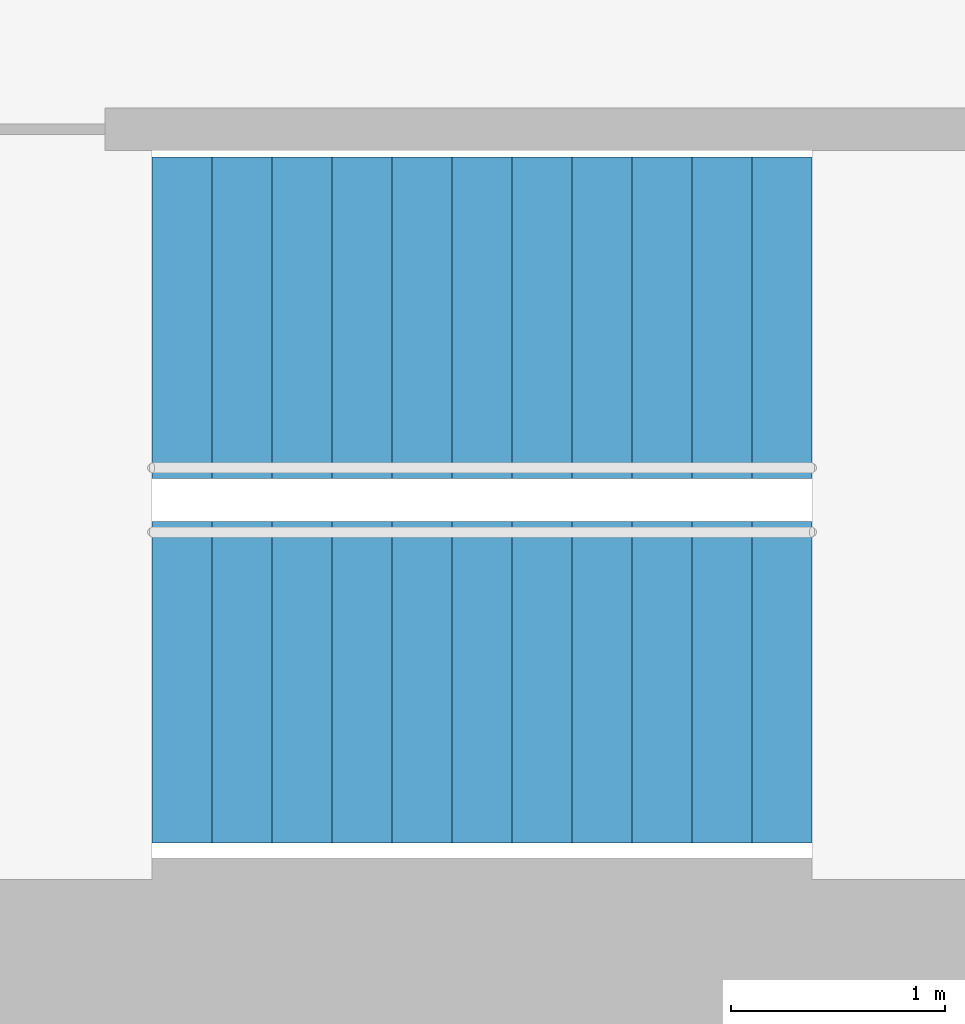
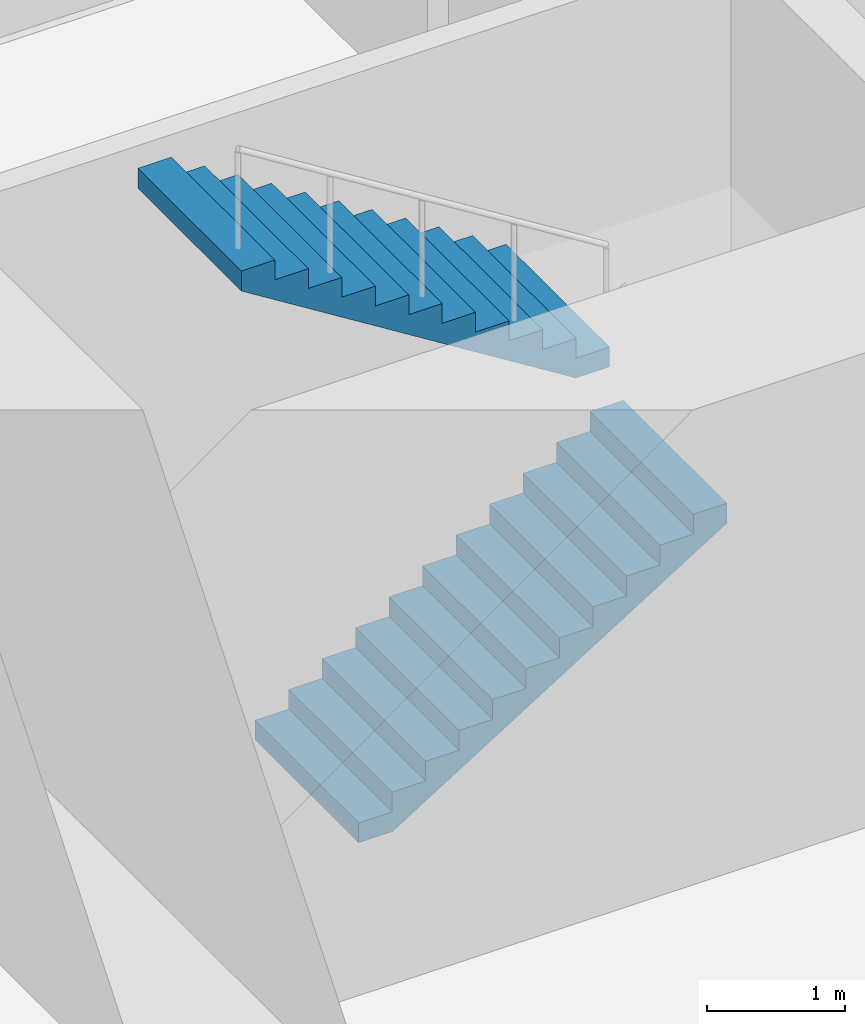
# One storey, part 15 of 17: 2 stair flights, 1 element without a shape of its own.
"""IFC4 building model written with IfcOpenShell, lengths in metres."""

from ifc_helpers import new_model, si_unit, direction, frame, origin, place, context, subcontext, project, spatial, triangles, material, type_object, element, aggregate, save


model = new_model("IFC4")

# Units and contexts
model_context = context("Model", 3, precision=1e-05, world=origin(), true_north=direction((0.0, 1.0)))
body_context = subcontext(model_context, "Body", "Model", "MODEL_VIEW")
ifc_project = project(units=[si_unit("LENGTHUNIT", "METRE"), si_unit("AREAUNIT", "SQUARE_METRE"), si_unit("VOLUMEUNIT", "CUBIC_METRE"), si_unit("PLANEANGLEUNIT", "RADIAN"), si_unit("MASSUNIT", "GRAM", prefix="KILO")], contexts=[model_context])

# Site, building, storey
site_placement = place(None, origin())
site = spatial("IfcSite", under=ifc_project, at=site_placement, CompositionType="ELEMENT")
building_placement = place(site_placement, origin())
building = spatial("IfcBuilding", under=site, at=building_placement, Name="Lantaw Convention Tower", CompositionType="ELEMENT")
storey_placement = place(building_placement, frame((0.0, 0.0, 163.60009765625)))
storey = spatial("IfcBuildingStorey", under=building, at=storey_placement, Name="L38", CompositionType="ELEMENT", Elevation=163.60009765625)

# Stair, stair flights
ifc_material = material(Name="Concrete C35/45", Category="concrete")
stair_type = type_object("IfcStairType", Name="Exit stair 1500 riser 175 in 2 flights", PredefinedType="HALF_TURN_STAIR", material=ifc_material)
stair_placement = place(storey_placement, origin())
stair = element("IfcStair", 1, at=stair_placement, inside=storey, type_object=stair_type, Name="Exit stair S1 L38", PredefinedType="HALF_TURN_STAIR")
stair_flight_type = type_object("IfcStairFlightType", Name="Stair flight 1500 riser 175", PredefinedType="STRAIGHT", material=ifc_material)
stair_flight_1_placement = place(storey_placement, frame((-10.580078125, -5.97998046875, 0.0), z_axis=(0.0, 0.0, 1.0), x_axis=(1.0, 0.0, 0.0)))
stair_flight_1 = element("IfcStairFlight", 2, at=stair_flight_1_placement, type_object=stair_flight_type, Name="S1 flight 1", NumberOfRisers=12, NumberOfTreads=11, PredefinedType="STRAIGHT", RiserHeight=0.175, TreadLength=0.28, context=body_context, shape_type="Tessellation", body=[
    triangles([(0.0, 0.75, 0.0), (0.0, 0.75, 0.175), (0.28, 0.75, 0.0), (0.28, 0.75, 0.175), (0.28, 0.75, 0.35), (0.28283517651771284, 0.75, 0.0), (0.28283517651771284, 0.75, 0.35), (0.56, 0.75, 0.17322801467642948), (0.56, 0.75, 0.35), (0.56, 0.75, 0.5249999999999999), (0.8400000000000001, 0.75, 0.34822801467642944), (0.8400000000000001, 0.75, 0.5249999999999999), (0.8400000000000001, 0.75, 0.7), (1.12, 0.75, 0.5232280146764294), (1.12, 0.75, 0.7), (1.12, 0.75, 0.875), (1.4000000000000001, 0.75, 0.6982280146764295), (1.4000000000000001, 0.75, 0.875), (1.4000000000000001, 0.75, 1.0499999999999998), (1.6800000000000002, 0.75, 0.8732280146764294), (1.6800000000000002, 0.75, 1.0499999999999998), (1.6800000000000002, 0.75, 1.2249999999999999), (1.9600000000000002, 0.75, 1.0482280146764293), (1.9600000000000002, 0.75, 1.2249999999999999), (1.9600000000000002, 0.75, 1.4), (2.24, 0.75, 1.2232280146764294), (2.24, 0.75, 1.4), (2.24, 0.75, 1.575), (2.5200000000000005, 0.75, 1.3982280146764294), (2.5200000000000005, 0.75, 1.575), (2.5200000000000005, 0.75, 1.75), (2.8000000000000003, 0.75, 1.5732280146764293), (2.8000000000000003, 0.75, 1.75), (2.8000000000000003, 0.75, 1.9249999999999998), (3.08, 0.75, 1.7482280146764293), (3.08, 0.75, 1.9249999999999998), (0.0, -0.75, 0.0), (0.0, -0.75, 0.175), (0.28, -0.75, 0.0), (0.28, -0.75, 0.175), (0.28, -0.75, 0.35), (0.28283517651771284, -0.75, 0.0), (0.28283517651771284, -0.75, 0.35), (0.56, -0.75, 0.17322801467642948), (0.56, -0.75, 0.35), (0.56, -0.75, 0.5249999999999999), (0.8400000000000001, -0.75, 0.34822801467642944), (0.8400000000000001, -0.75, 0.5249999999999999), (0.8400000000000001, -0.75, 0.7), (1.12, -0.75, 0.5232280146764294), (1.12, -0.75, 0.7), (1.12, -0.75, 0.875), (1.4000000000000001, -0.75, 0.6982280146764295), (1.4000000000000001, -0.75, 0.875), (1.4000000000000001, -0.75, 1.0499999999999998), (1.6800000000000002, -0.75, 0.8732280146764294), (1.6800000000000002, -0.75, 1.0499999999999998), (1.6800000000000002, -0.75, 1.2249999999999999), (1.9600000000000002, -0.75, 1.0482280146764293), (1.9600000000000002, -0.75, 1.2249999999999999), (1.9600000000000002, -0.75, 1.4), (2.24, -0.75, 1.2232280146764294), (2.24, -0.75, 1.4), (2.24, -0.75, 1.575), (2.5200000000000005, -0.75, 1.3982280146764294), (2.5200000000000005, -0.75, 1.575), (2.5200000000000005, -0.75, 1.75), (2.8000000000000003, -0.75, 1.5732280146764293), (2.8000000000000003, -0.75, 1.75), (2.8000000000000003, -0.75, 1.9249999999999998), (3.08, -0.75, 1.7482280146764293), (3.08, -0.75, 1.9249999999999998), (0.0, 0.15000000000000002, 0.175), (0.0, 0.15000000000000002, 0.0), (0.0, 0.0, 0.175), (0.0, 0.0, 0.0), (0.0, -0.15000000000000002, 0.175), (0.0, -0.15000000000000002, 0.0), (0.28, 0.15000000000000002, 0.35), (0.28, 0.15000000000000002, 0.175), (0.28, 0.0, 0.35), (0.28, 0.0, 0.175), (0.28, -0.15000000000000002, 0.35), (0.28, -0.15000000000000002, 0.175), (0.56, 0.15000000000000002, 0.5249999999999999), (0.56, 0.15000000000000002, 0.35), (0.56, 0.0, 0.5249999999999999), (0.56, 0.0, 0.35), (0.56, -0.15000000000000002, 0.5249999999999999), (0.56, -0.15000000000000002, 0.35), (0.8400000000000001, 0.15000000000000002, 0.7), (0.8400000000000001, 0.15000000000000002, 0.5249999999999999), (0.8400000000000001, 0.0, 0.7), (0.8400000000000001, 0.0, 0.5249999999999999), (0.8400000000000001, -0.15000000000000002, 0.7), (0.8400000000000001, -0.15000000000000002, 0.5249999999999999), (1.12, 0.15000000000000002, 0.875), (1.12, 0.15000000000000002, 0.7), (1.12, 0.0, 0.875), (1.12, 0.0, 0.7), (1.12, -0.15000000000000002, 0.875), (1.12, -0.15000000000000002, 0.7), (1.4000000000000001, 0.15000000000000002, 1.0499999999999998), (1.4000000000000001, 0.15000000000000002, 0.875), (1.4000000000000001, 0.0, 1.0499999999999998), (1.4000000000000001, 0.0, 0.875), (1.4000000000000001, -0.15000000000000002, 1.0499999999999998), (1.4000000000000001, -0.15000000000000002, 0.875), (1.6800000000000002, 0.15000000000000002, 1.2249999999999999), (1.6800000000000002, 0.15000000000000002, 1.0499999999999998), (1.6800000000000002, 0.0, 1.2249999999999999), (1.6800000000000002, 0.0, 1.0499999999999998), (1.6800000000000002, -0.15000000000000002, 1.2249999999999999), (1.6800000000000002, -0.15000000000000002, 1.0499999999999998), (1.9600000000000002, 0.15000000000000002, 1.4), (1.9600000000000002, 0.15000000000000002, 1.2249999999999999), (1.9600000000000002, 0.0, 1.4), (1.9600000000000002, 0.0, 1.2249999999999999), (1.9600000000000002, -0.15000000000000002, 1.4), (1.9600000000000002, -0.15000000000000002, 1.2249999999999999), (2.24, 0.15000000000000002, 1.575), (2.24, 0.15000000000000002, 1.4), (2.24, 0.0, 1.575), (2.24, 0.0, 1.4), (2.24, -0.15000000000000002, 1.575), (2.24, -0.15000000000000002, 1.4), (2.5200000000000005, 0.15000000000000002, 1.75), (2.5200000000000005, 0.15000000000000002, 1.575), (2.5200000000000005, 0.0, 1.75), (2.5200000000000005, 0.0, 1.575), (2.5200000000000005, -0.15000000000000002, 1.75), (2.5200000000000005, -0.15000000000000002, 1.575), (2.8000000000000003, 0.15000000000000002, 1.9249999999999998), (2.8000000000000003, 0.15000000000000002, 1.75), (2.8000000000000003, 0.0, 1.9249999999999998), (2.8000000000000003, 0.0, 1.75), (2.8000000000000003, -0.15000000000000002, 1.9249999999999998), (2.8000000000000003, -0.15000000000000002, 1.75), (0.28283517651771284, 0.15000000000000002, 0.35), (0.28283517651771284, 0.0, 0.35), (0.28283517651771284, -0.15000000000000002, 0.35), (3.08, 0.15000000000000002, 1.9249999999999998), (3.08, 0.0, 1.9249999999999998), (3.08, -0.15000000000000002, 1.9249999999999998), (3.08, 0.15000000000000002, 1.7482280146764293), (3.08, 0.0, 1.7482280146764293), (3.08, -0.15000000000000002, 1.7482280146764293), (2.8000000000000003, 0.15000000000000002, 1.5732280146764293), (2.8000000000000003, 0.0, 1.5732280146764293), (2.8000000000000003, -0.15000000000000002, 1.5732280146764293), (2.5200000000000005, 0.15000000000000002, 1.3982280146764294), (2.5200000000000005, 0.0, 1.3982280146764294), (2.5200000000000005, -0.15000000000000002, 1.3982280146764294), (2.24, 0.15000000000000002, 1.2232280146764294), (2.24, 0.0, 1.2232280146764294), (2.24, -0.15000000000000002, 1.2232280146764294), (1.9600000000000002, 0.15000000000000002, 1.0482280146764293), (1.9600000000000002, 0.0, 1.0482280146764293), (1.9600000000000002, -0.15000000000000002, 1.0482280146764293), (1.6800000000000002, 0.15000000000000002, 0.8732280146764294), (1.6800000000000002, 0.0, 0.8732280146764294), (1.6800000000000002, -0.15000000000000002, 0.8732280146764294), (1.4000000000000001, 0.15000000000000002, 0.6982280146764295), (1.4000000000000001, 0.0, 0.6982280146764295), (1.4000000000000001, -0.15000000000000002, 0.6982280146764295), (1.12, 0.15000000000000002, 0.5232280146764294), (1.12, 0.0, 0.5232280146764294), (1.12, -0.15000000000000002, 0.5232280146764294), (0.8400000000000001, 0.15000000000000002, 0.34822801467642944), (0.8400000000000001, 0.0, 0.34822801467642944), (0.8400000000000001, -0.15000000000000002, 0.34822801467642944), (0.56, 0.15000000000000002, 0.17322801467642948), (0.56, 0.0, 0.17322801467642948), (0.56, -0.15000000000000002, 0.17322801467642948), (0.28283517651771284, 0.15000000000000002, 0.0), (0.28283517651771284, 0.0, 0.0), (0.28283517651771284, -0.15000000000000002, 0.0), (0.28, 0.15000000000000002, 0.0), (0.28, 0.0, 0.0), (0.28, -0.15000000000000002, 0.0)], [[1, 4, 3], [1, 2, 4], [3, 4, 6], [4, 7, 6], [4, 5, 7], [6, 9, 8], [6, 7, 9], [8, 9, 11], [9, 12, 11], [9, 10, 12], [11, 12, 14], [12, 15, 14], [12, 13, 15], [14, 15, 17], [15, 18, 17], [15, 16, 18], [17, 18, 20], [18, 21, 20], [18, 19, 21], [20, 21, 23], [21, 24, 23], [21, 22, 24], [23, 24, 26], [24, 27, 26], [24, 25, 27], [26, 27, 29], [27, 30, 29], [27, 28, 30], [29, 30, 32], [30, 33, 32], [30, 31, 33], [32, 33, 35], [33, 36, 35], [33, 34, 36], [37, 39, 40], [37, 40, 38], [39, 42, 40], [40, 42, 43], [40, 43, 41], [42, 44, 45], [42, 45, 43], [44, 47, 45], [45, 47, 48], [45, 48, 46], [47, 50, 48], [48, 50, 51], [48, 51, 49], [50, 53, 51], [51, 53, 54], [51, 54, 52], [53, 56, 54], [54, 56, 57], [54, 57, 55], [56, 59, 57], [57, 59, 60], [57, 60, 58], [59, 62, 60], [60, 62, 63], [60, 63, 61], [62, 65, 63], [63, 65, 66], [63, 66, 64], [65, 68, 66], [66, 68, 69], [66, 69, 67], [68, 71, 69], [69, 71, 72], [69, 72, 70], [1, 73, 2], [1, 74, 73], [74, 75, 73], [74, 76, 75], [76, 77, 75], [76, 78, 77], [78, 38, 77], [78, 37, 38], [4, 79, 5], [4, 80, 79], [80, 81, 79], [80, 82, 81], [82, 83, 81], [82, 84, 83], [84, 41, 83], [84, 40, 41], [9, 85, 10], [9, 86, 85], [86, 87, 85], [86, 88, 87], [88, 89, 87], [88, 90, 89], [90, 46, 89], [90, 45, 46], [12, 91, 13], [12, 92, 91], [92, 93, 91], [92, 94, 93], [94, 95, 93], [94, 96, 95], [96, 49, 95], [96, 48, 49], [15, 97, 16], [15, 98, 97], [98, 99, 97], [98, 100, 99], [100, 101, 99], [100, 102, 101], [102, 52, 101], [102, 51, 52], [18, 103, 19], [18, 104, 103], [104, 105, 103], [104, 106, 105], [106, 107, 105], [106, 108, 107], [108, 55, 107], [108, 54, 55], [21, 109, 22], [21, 110, 109], [110, 111, 109], [110, 112, 111], [112, 113, 111], [112, 114, 113], [114, 58, 113], [114, 57, 58], [24, 115, 25], [24, 116, 115], [116, 117, 115], [116, 118, 117], [118, 119, 117], [118, 120, 119], [120, 61, 119], [120, 60, 61], [27, 121, 28], [27, 122, 121], [122, 123, 121], [122, 124, 123], [124, 125, 123], [124, 126, 125], [126, 64, 125], [126, 63, 64], [30, 127, 31], [30, 128, 127], [128, 129, 127], [128, 130, 129], [130, 131, 129], [130, 132, 131], [132, 67, 131], [132, 66, 67], [33, 133, 34], [33, 134, 133], [134, 135, 133], [134, 136, 135], [136, 137, 135], [136, 138, 137], [138, 70, 137], [138, 69, 70], [2, 80, 4], [2, 73, 80], [73, 82, 80], [73, 75, 82], [75, 84, 82], [75, 77, 84], [77, 40, 84], [77, 38, 40], [5, 139, 7], [5, 79, 139], [79, 140, 139], [79, 81, 140], [81, 141, 140], [81, 83, 141], [83, 43, 141], [83, 41, 43], [7, 86, 9], [7, 139, 86], [139, 88, 86], [139, 140, 88], [140, 90, 88], [140, 141, 90], [141, 45, 90], [141, 43, 45], [10, 92, 12], [10, 85, 92], [85, 94, 92], [85, 87, 94], [87, 96, 94], [87, 89, 96], [89, 48, 96], [89, 46, 48], [13, 98, 15], [13, 91, 98], [91, 100, 98], [91, 93, 100], [93, 102, 100], [93, 95, 102], [95, 51, 102], [95, 49, 51], [16, 104, 18], [16, 97, 104], [97, 106, 104], [97, 99, 106], [99, 108, 106], [99, 101, 108], [101, 54, 108], [101, 52, 54], [19, 110, 21], [19, 103, 110], [103, 112, 110], [103, 105, 112], [105, 114, 112], [105, 107, 114], [107, 57, 114], [107, 55, 57], [22, 116, 24], [22, 109, 116], [109, 118, 116], [109, 111, 118], [111, 120, 118], [111, 113, 120], [113, 60, 120], [113, 58, 60], [25, 122, 27], [25, 115, 122], [115, 124, 122], [115, 117, 124], [117, 126, 124], [117, 119, 126], [119, 63, 126], [119, 61, 63], [28, 128, 30], [28, 121, 128], [121, 130, 128], [121, 123, 130], [123, 132, 130], [123, 125, 132], [125, 66, 132], [125, 64, 66], [31, 134, 33], [31, 127, 134], [127, 136, 134], [127, 129, 136], [129, 138, 136], [129, 131, 138], [131, 69, 138], [131, 67, 69], [34, 142, 36], [34, 133, 142], [133, 143, 142], [133, 135, 143], [135, 144, 143], [135, 137, 144], [137, 72, 144], [137, 70, 72], [36, 145, 35], [36, 142, 145], [142, 146, 145], [142, 143, 146], [143, 147, 146], [143, 144, 147], [144, 71, 147], [144, 72, 71], [35, 148, 32], [35, 145, 148], [145, 149, 148], [145, 146, 149], [146, 150, 149], [146, 147, 150], [147, 68, 150], [147, 71, 68], [32, 151, 29], [32, 148, 151], [148, 152, 151], [148, 149, 152], [149, 153, 152], [149, 150, 153], [150, 65, 153], [150, 68, 65], [29, 154, 26], [29, 151, 154], [151, 155, 154], [151, 152, 155], [152, 156, 155], [152, 153, 156], [153, 62, 156], [153, 65, 62], [26, 157, 23], [26, 154, 157], [154, 158, 157], [154, 155, 158], [155, 159, 158], [155, 156, 159], [156, 59, 159], [156, 62, 59], [23, 160, 20], [23, 157, 160], [157, 161, 160], [157, 158, 161], [158, 162, 161], [158, 159, 162], [159, 56, 162], [159, 59, 56], [20, 163, 17], [20, 160, 163], [160, 164, 163], [160, 161, 164], [161, 165, 164], [161, 162, 165], [162, 53, 165], [162, 56, 53], [17, 166, 14], [17, 163, 166], [163, 167, 166], [163, 164, 167], [164, 168, 167], [164, 165, 168], [165, 50, 168], [165, 53, 50], [14, 169, 11], [14, 166, 169], [166, 170, 169], [166, 167, 170], [167, 171, 170], [167, 168, 171], [168, 47, 171], [168, 50, 47], [11, 172, 8], [11, 169, 172], [169, 173, 172], [169, 170, 173], [170, 174, 173], [170, 171, 174], [171, 44, 174], [171, 47, 44], [8, 175, 6], [8, 172, 175], [172, 176, 175], [172, 173, 176], [173, 177, 176], [173, 174, 177], [174, 42, 177], [174, 44, 42], [6, 178, 3], [6, 175, 178], [175, 179, 178], [175, 176, 179], [176, 180, 179], [176, 177, 180], [177, 39, 180], [177, 42, 39], [3, 74, 1], [3, 178, 74], [178, 76, 74], [178, 179, 76], [179, 78, 76], [179, 180, 78], [180, 37, 78], [180, 39, 37]], closed=True),
])
stair_flight_2_placement = place(storey_placement, frame((-7.5, -4.280029296875, 2.099853515625), z_axis=(0.0, 0.0, 1.0), x_axis=(-1.0, 0.0, 0.0)))
stair_flight_2 = element("IfcStairFlight", 3, at=stair_flight_2_placement, type_object=stair_flight_type, Name="S1 flight 2", NumberOfRisers=12, NumberOfTreads=11, PredefinedType="STRAIGHT", RiserHeight=0.175, TreadLength=0.28, context=body_context, shape_type="Tessellation", body=[
    triangles([(0.0, 0.75, 0.0), (0.0, 0.75, 0.175), (0.28, 0.75, 0.0), (0.28, 0.75, 0.175), (0.28, 0.75, 0.35), (0.28283517651771284, 0.75, 0.0), (0.28283517651771284, 0.75, 0.35), (0.56, 0.75, 0.17322801467642948), (0.56, 0.75, 0.35), (0.56, 0.75, 0.5249999999999999), (0.8400000000000001, 0.75, 0.34822801467642944), (0.8400000000000001, 0.75, 0.5249999999999999), (0.8400000000000001, 0.75, 0.7), (1.12, 0.75, 0.5232280146764294), (1.12, 0.75, 0.7), (1.12, 0.75, 0.875), (1.4000000000000001, 0.75, 0.6982280146764295), (1.4000000000000001, 0.75, 0.875), (1.4000000000000001, 0.75, 1.0499999999999998), (1.6800000000000002, 0.75, 0.8732280146764294), (1.6800000000000002, 0.75, 1.0499999999999998), (1.6800000000000002, 0.75, 1.2249999999999999), (1.9600000000000002, 0.75, 1.0482280146764293), (1.9600000000000002, 0.75, 1.2249999999999999), (1.9600000000000002, 0.75, 1.4), (2.24, 0.75, 1.2232280146764294), (2.24, 0.75, 1.4), (2.24, 0.75, 1.575), (2.5200000000000005, 0.75, 1.3982280146764294), (2.5200000000000005, 0.75, 1.575), (2.5200000000000005, 0.75, 1.75), (2.8000000000000003, 0.75, 1.5732280146764293), (2.8000000000000003, 0.75, 1.75), (2.8000000000000003, 0.75, 1.9249999999999998), (3.08, 0.75, 1.7482280146764293), (3.08, 0.75, 1.9249999999999998), (0.0, -0.75, 0.0), (0.0, -0.75, 0.175), (0.28, -0.75, 0.0), (0.28, -0.75, 0.175), (0.28, -0.75, 0.35), (0.28283517651771284, -0.75, 0.0), (0.28283517651771284, -0.75, 0.35), (0.56, -0.75, 0.17322801467642948), (0.56, -0.75, 0.35), (0.56, -0.75, 0.5249999999999999), (0.8400000000000001, -0.75, 0.34822801467642944), (0.8400000000000001, -0.75, 0.5249999999999999), (0.8400000000000001, -0.75, 0.7), (1.12, -0.75, 0.5232280146764294), (1.12, -0.75, 0.7), (1.12, -0.75, 0.875), (1.4000000000000001, -0.75, 0.6982280146764295), (1.4000000000000001, -0.75, 0.875), (1.4000000000000001, -0.75, 1.0499999999999998), (1.6800000000000002, -0.75, 0.8732280146764294), (1.6800000000000002, -0.75, 1.0499999999999998), (1.6800000000000002, -0.75, 1.2249999999999999), (1.9600000000000002, -0.75, 1.0482280146764293), (1.9600000000000002, -0.75, 1.2249999999999999), (1.9600000000000002, -0.75, 1.4), (2.24, -0.75, 1.2232280146764294), (2.24, -0.75, 1.4), (2.24, -0.75, 1.575), (2.5200000000000005, -0.75, 1.3982280146764294), (2.5200000000000005, -0.75, 1.575), (2.5200000000000005, -0.75, 1.75), (2.8000000000000003, -0.75, 1.5732280146764293), (2.8000000000000003, -0.75, 1.75), (2.8000000000000003, -0.75, 1.9249999999999998), (3.08, -0.75, 1.7482280146764293), (3.08, -0.75, 1.9249999999999998), (0.0, 0.15000000000000002, 0.175), (0.0, 0.15000000000000002, 0.0), (0.0, 0.0, 0.175), (0.0, 0.0, 0.0), (0.0, -0.15000000000000002, 0.175), (0.0, -0.15000000000000002, 0.0), (0.28, 0.15000000000000002, 0.35), (0.28, 0.15000000000000002, 0.175), (0.28, 0.0, 0.35), (0.28, 0.0, 0.175), (0.28, -0.15000000000000002, 0.35), (0.28, -0.15000000000000002, 0.175), (0.56, 0.15000000000000002, 0.5249999999999999), (0.56, 0.15000000000000002, 0.35), (0.56, 0.0, 0.5249999999999999), (0.56, 0.0, 0.35), (0.56, -0.15000000000000002, 0.5249999999999999), (0.56, -0.15000000000000002, 0.35), (0.8400000000000001, 0.15000000000000002, 0.7), (0.8400000000000001, 0.15000000000000002, 0.5249999999999999), (0.8400000000000001, 0.0, 0.7), (0.8400000000000001, 0.0, 0.5249999999999999), (0.8400000000000001, -0.15000000000000002, 0.7), (0.8400000000000001, -0.15000000000000002, 0.5249999999999999), (1.12, 0.15000000000000002, 0.875), (1.12, 0.15000000000000002, 0.7), (1.12, 0.0, 0.875), (1.12, 0.0, 0.7), (1.12, -0.15000000000000002, 0.875), (1.12, -0.15000000000000002, 0.7), (1.4000000000000001, 0.15000000000000002, 1.0499999999999998), (1.4000000000000001, 0.15000000000000002, 0.875), (1.4000000000000001, 0.0, 1.0499999999999998), (1.4000000000000001, 0.0, 0.875), (1.4000000000000001, -0.15000000000000002, 1.0499999999999998), (1.4000000000000001, -0.15000000000000002, 0.875), (1.6800000000000002, 0.15000000000000002, 1.2249999999999999), (1.6800000000000002, 0.15000000000000002, 1.0499999999999998), (1.6800000000000002, 0.0, 1.2249999999999999), (1.6800000000000002, 0.0, 1.0499999999999998), (1.6800000000000002, -0.15000000000000002, 1.2249999999999999), (1.6800000000000002, -0.15000000000000002, 1.0499999999999998), (1.9600000000000002, 0.15000000000000002, 1.4), (1.9600000000000002, 0.15000000000000002, 1.2249999999999999), (1.9600000000000002, 0.0, 1.4), (1.9600000000000002, 0.0, 1.2249999999999999), (1.9600000000000002, -0.15000000000000002, 1.4), (1.9600000000000002, -0.15000000000000002, 1.2249999999999999), (2.24, 0.15000000000000002, 1.575), (2.24, 0.15000000000000002, 1.4), (2.24, 0.0, 1.575), (2.24, 0.0, 1.4), (2.24, -0.15000000000000002, 1.575), (2.24, -0.15000000000000002, 1.4), (2.5200000000000005, 0.15000000000000002, 1.75), (2.5200000000000005, 0.15000000000000002, 1.575), (2.5200000000000005, 0.0, 1.75), (2.5200000000000005, 0.0, 1.575), (2.5200000000000005, -0.15000000000000002, 1.75), (2.5200000000000005, -0.15000000000000002, 1.575), (2.8000000000000003, 0.15000000000000002, 1.9249999999999998), (2.8000000000000003, 0.15000000000000002, 1.75), (2.8000000000000003, 0.0, 1.9249999999999998), (2.8000000000000003, 0.0, 1.75), (2.8000000000000003, -0.15000000000000002, 1.9249999999999998), (2.8000000000000003, -0.15000000000000002, 1.75), (0.28283517651771284, 0.15000000000000002, 0.35), (0.28283517651771284, 0.0, 0.35), (0.28283517651771284, -0.15000000000000002, 0.35), (3.08, 0.15000000000000002, 1.9249999999999998), (3.08, 0.0, 1.9249999999999998), (3.08, -0.15000000000000002, 1.9249999999999998), (3.08, 0.15000000000000002, 1.7482280146764293), (3.08, 0.0, 1.7482280146764293), (3.08, -0.15000000000000002, 1.7482280146764293), (2.8000000000000003, 0.15000000000000002, 1.5732280146764293), (2.8000000000000003, 0.0, 1.5732280146764293), (2.8000000000000003, -0.15000000000000002, 1.5732280146764293), (2.5200000000000005, 0.15000000000000002, 1.3982280146764294), (2.5200000000000005, 0.0, 1.3982280146764294), (2.5200000000000005, -0.15000000000000002, 1.3982280146764294), (2.24, 0.15000000000000002, 1.2232280146764294), (2.24, 0.0, 1.2232280146764294), (2.24, -0.15000000000000002, 1.2232280146764294), (1.9600000000000002, 0.15000000000000002, 1.0482280146764293), (1.9600000000000002, 0.0, 1.0482280146764293), (1.9600000000000002, -0.15000000000000002, 1.0482280146764293), (1.6800000000000002, 0.15000000000000002, 0.8732280146764294), (1.6800000000000002, 0.0, 0.8732280146764294), (1.6800000000000002, -0.15000000000000002, 0.8732280146764294), (1.4000000000000001, 0.15000000000000002, 0.6982280146764295), (1.4000000000000001, 0.0, 0.6982280146764295), (1.4000000000000001, -0.15000000000000002, 0.6982280146764295), (1.12, 0.15000000000000002, 0.5232280146764294), (1.12, 0.0, 0.5232280146764294), (1.12, -0.15000000000000002, 0.5232280146764294), (0.8400000000000001, 0.15000000000000002, 0.34822801467642944), (0.8400000000000001, 0.0, 0.34822801467642944), (0.8400000000000001, -0.15000000000000002, 0.34822801467642944), (0.56, 0.15000000000000002, 0.17322801467642948), (0.56, 0.0, 0.17322801467642948), (0.56, -0.15000000000000002, 0.17322801467642948), (0.28283517651771284, 0.15000000000000002, 0.0), (0.28283517651771284, 0.0, 0.0), (0.28283517651771284, -0.15000000000000002, 0.0), (0.28, 0.15000000000000002, 0.0), (0.28, 0.0, 0.0), (0.28, -0.15000000000000002, 0.0)], [[1, 4, 3], [1, 2, 4], [3, 4, 6], [4, 7, 6], [4, 5, 7], [6, 9, 8], [6, 7, 9], [8, 9, 11], [9, 12, 11], [9, 10, 12], [11, 12, 14], [12, 15, 14], [12, 13, 15], [14, 15, 17], [15, 18, 17], [15, 16, 18], [17, 18, 20], [18, 21, 20], [18, 19, 21], [20, 21, 23], [21, 24, 23], [21, 22, 24], [23, 24, 26], [24, 27, 26], [24, 25, 27], [26, 27, 29], [27, 30, 29], [27, 28, 30], [29, 30, 32], [30, 33, 32], [30, 31, 33], [32, 33, 35], [33, 36, 35], [33, 34, 36], [37, 39, 40], [37, 40, 38], [39, 42, 40], [40, 42, 43], [40, 43, 41], [42, 44, 45], [42, 45, 43], [44, 47, 45], [45, 47, 48], [45, 48, 46], [47, 50, 48], [48, 50, 51], [48, 51, 49], [50, 53, 51], [51, 53, 54], [51, 54, 52], [53, 56, 54], [54, 56, 57], [54, 57, 55], [56, 59, 57], [57, 59, 60], [57, 60, 58], [59, 62, 60], [60, 62, 63], [60, 63, 61], [62, 65, 63], [63, 65, 66], [63, 66, 64], [65, 68, 66], [66, 68, 69], [66, 69, 67], [68, 71, 69], [69, 71, 72], [69, 72, 70], [1, 73, 2], [1, 74, 73], [74, 75, 73], [74, 76, 75], [76, 77, 75], [76, 78, 77], [78, 38, 77], [78, 37, 38], [4, 79, 5], [4, 80, 79], [80, 81, 79], [80, 82, 81], [82, 83, 81], [82, 84, 83], [84, 41, 83], [84, 40, 41], [9, 85, 10], [9, 86, 85], [86, 87, 85], [86, 88, 87], [88, 89, 87], [88, 90, 89], [90, 46, 89], [90, 45, 46], [12, 91, 13], [12, 92, 91], [92, 93, 91], [92, 94, 93], [94, 95, 93], [94, 96, 95], [96, 49, 95], [96, 48, 49], [15, 97, 16], [15, 98, 97], [98, 99, 97], [98, 100, 99], [100, 101, 99], [100, 102, 101], [102, 52, 101], [102, 51, 52], [18, 103, 19], [18, 104, 103], [104, 105, 103], [104, 106, 105], [106, 107, 105], [106, 108, 107], [108, 55, 107], [108, 54, 55], [21, 109, 22], [21, 110, 109], [110, 111, 109], [110, 112, 111], [112, 113, 111], [112, 114, 113], [114, 58, 113], [114, 57, 58], [24, 115, 25], [24, 116, 115], [116, 117, 115], [116, 118, 117], [118, 119, 117], [118, 120, 119], [120, 61, 119], [120, 60, 61], [27, 121, 28], [27, 122, 121], [122, 123, 121], [122, 124, 123], [124, 125, 123], [124, 126, 125], [126, 64, 125], [126, 63, 64], [30, 127, 31], [30, 128, 127], [128, 129, 127], [128, 130, 129], [130, 131, 129], [130, 132, 131], [132, 67, 131], [132, 66, 67], [33, 133, 34], [33, 134, 133], [134, 135, 133], [134, 136, 135], [136, 137, 135], [136, 138, 137], [138, 70, 137], [138, 69, 70], [2, 80, 4], [2, 73, 80], [73, 82, 80], [73, 75, 82], [75, 84, 82], [75, 77, 84], [77, 40, 84], [77, 38, 40], [5, 139, 7], [5, 79, 139], [79, 140, 139], [79, 81, 140], [81, 141, 140], [81, 83, 141], [83, 43, 141], [83, 41, 43], [7, 86, 9], [7, 139, 86], [139, 88, 86], [139, 140, 88], [140, 90, 88], [140, 141, 90], [141, 45, 90], [141, 43, 45], [10, 92, 12], [10, 85, 92], [85, 94, 92], [85, 87, 94], [87, 96, 94], [87, 89, 96], [89, 48, 96], [89, 46, 48], [13, 98, 15], [13, 91, 98], [91, 100, 98], [91, 93, 100], [93, 102, 100], [93, 95, 102], [95, 51, 102], [95, 49, 51], [16, 104, 18], [16, 97, 104], [97, 106, 104], [97, 99, 106], [99, 108, 106], [99, 101, 108], [101, 54, 108], [101, 52, 54], [19, 110, 21], [19, 103, 110], [103, 112, 110], [103, 105, 112], [105, 114, 112], [105, 107, 114], [107, 57, 114], [107, 55, 57], [22, 116, 24], [22, 109, 116], [109, 118, 116], [109, 111, 118], [111, 120, 118], [111, 113, 120], [113, 60, 120], [113, 58, 60], [25, 122, 27], [25, 115, 122], [115, 124, 122], [115, 117, 124], [117, 126, 124], [117, 119, 126], [119, 63, 126], [119, 61, 63], [28, 128, 30], [28, 121, 128], [121, 130, 128], [121, 123, 130], [123, 132, 130], [123, 125, 132], [125, 66, 132], [125, 64, 66], [31, 134, 33], [31, 127, 134], [127, 136, 134], [127, 129, 136], [129, 138, 136], [129, 131, 138], [131, 69, 138], [131, 67, 69], [34, 142, 36], [34, 133, 142], [133, 143, 142], [133, 135, 143], [135, 144, 143], [135, 137, 144], [137, 72, 144], [137, 70, 72], [36, 145, 35], [36, 142, 145], [142, 146, 145], [142, 143, 146], [143, 147, 146], [143, 144, 147], [144, 71, 147], [144, 72, 71], [35, 148, 32], [35, 145, 148], [145, 149, 148], [145, 146, 149], [146, 150, 149], [146, 147, 150], [147, 68, 150], [147, 71, 68], [32, 151, 29], [32, 148, 151], [148, 152, 151], [148, 149, 152], [149, 153, 152], [149, 150, 153], [150, 65, 153], [150, 68, 65], [29, 154, 26], [29, 151, 154], [151, 155, 154], [151, 152, 155], [152, 156, 155], [152, 153, 156], [153, 62, 156], [153, 65, 62], [26, 157, 23], [26, 154, 157], [154, 158, 157], [154, 155, 158], [155, 159, 158], [155, 156, 159], [156, 59, 159], [156, 62, 59], [23, 160, 20], [23, 157, 160], [157, 161, 160], [157, 158, 161], [158, 162, 161], [158, 159, 162], [159, 56, 162], [159, 59, 56], [20, 163, 17], [20, 160, 163], [160, 164, 163], [160, 161, 164], [161, 165, 164], [161, 162, 165], [162, 53, 165], [162, 56, 53], [17, 166, 14], [17, 163, 166], [163, 167, 166], [163, 164, 167], [164, 168, 167], [164, 165, 168], [165, 50, 168], [165, 53, 50], [14, 169, 11], [14, 166, 169], [166, 170, 169], [166, 167, 170], [167, 171, 170], [167, 168, 171], [168, 47, 171], [168, 50, 47], [11, 172, 8], [11, 169, 172], [169, 173, 172], [169, 170, 173], [170, 174, 173], [170, 171, 174], [171, 44, 174], [171, 47, 44], [8, 175, 6], [8, 172, 175], [172, 176, 175], [172, 173, 176], [173, 177, 176], [173, 174, 177], [174, 42, 177], [174, 44, 42], [6, 178, 3], [6, 175, 178], [175, 179, 178], [175, 176, 179], [176, 180, 179], [176, 177, 180], [177, 39, 180], [177, 42, 39], [3, 74, 1], [3, 178, 74], [178, 76, 74], [178, 179, 76], [179, 78, 76], [179, 180, 78], [180, 37, 78], [180, 39, 37]], closed=True),
])
aggregate(stair, [stair_flight_1, stair_flight_2])

save(model, "model.ifc")
